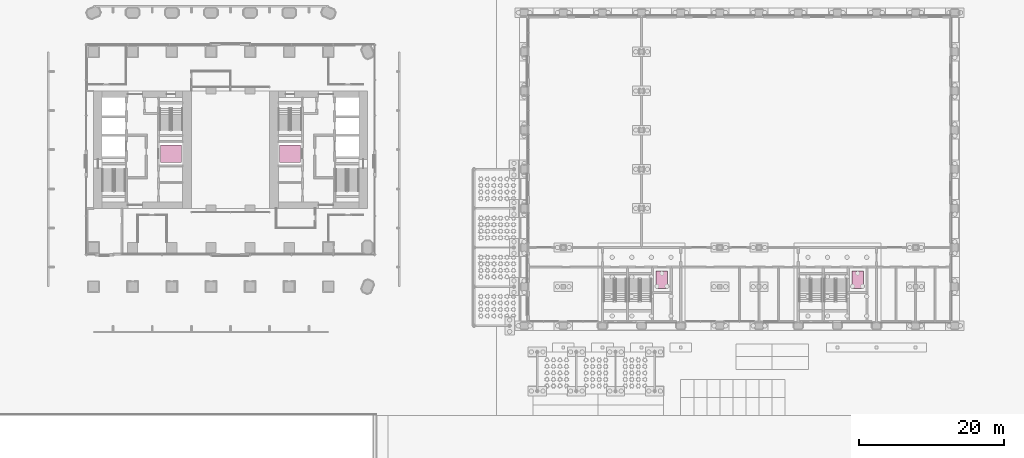
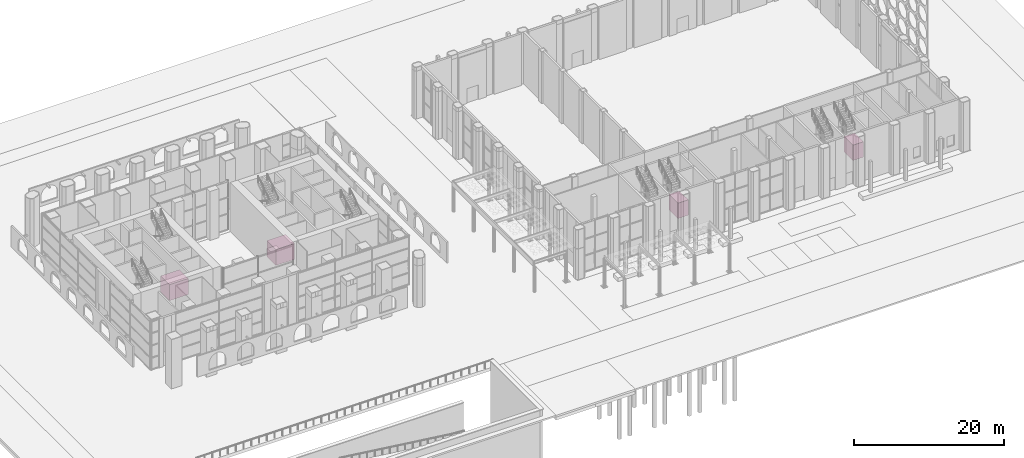
# One storey, part 53 of 54: 4 transport elements.
"""IFC4 building model written with IfcOpenShell, lengths in metres."""

from ifc_helpers import new_model, si_unit, direction, frame, origin, origin_2d, place, context, subcontext, project, spatial, rectangle, extrude, material, type_object, element, save


model = new_model("IFC4")

# Units and contexts
model_context = context("Model", 3, precision=1e-05, world=origin(), true_north=direction((0.0, 1.0)))
body_context = subcontext(model_context, "Body", "Model", "MODEL_VIEW")
ifc_project = project(units=[si_unit("LENGTHUNIT", "METRE"), si_unit("AREAUNIT", "SQUARE_METRE"), si_unit("VOLUMEUNIT", "CUBIC_METRE"), si_unit("PLANEANGLEUNIT", "RADIAN"), si_unit("MASSUNIT", "GRAM", prefix="KILO")], contexts=[model_context])

# Site, building, storey
site_placement = place(None, origin())
site = spatial("IfcSite", under=ifc_project, at=site_placement, CompositionType="ELEMENT")
building_placement = place(site_placement, origin())
building = spatial("IfcBuilding", under=site, at=building_placement, Name="Tabaq Tower and Sports Hall", CompositionType="ELEMENT")
storey_placement = place(building_placement, origin())
storey = spatial("IfcBuildingStorey", under=building, at=storey_placement, Name="L00", CompositionType="ELEMENT", Elevation=0.0)

# Transport elements
ifc_material_1 = material(Name="Stainless steel car", Category="steel")
transport_element_type_1 = type_object("IfcTransportElementType", Name="HALL PASSENGER LIFT", PredefinedType="ELEVATOR", material=ifc_material_1)
for number, where, z_axis, x_axis, name in (
    (1, (83.800048828125, 6.35009765625, 0.0), (0.0, 0.0, 1.0), (1.0, 0.0, 0.0), "LH-A"),
    (2, (110.800048828125, 6.35009765625, 0.0), (0.0, 0.0, 1.0), (1.0, 0.0, 0.0), "LH-B"),
):
    element("IfcTransportElement", number, at=place(storey_placement, frame(where, z_axis=z_axis, x_axis=x_axis)), inside=storey, type_object=transport_element_type_1, Name=name, PredefinedType="ELEVATOR", context=body_context, shape_type="SweptSolid", body=[
        extrude(rectangle(XDim=1.60009765625, YDim=2.39990234375, at=origin_2d()), origin(), (0.0, 0.0, 1.0), 2.5),
    ])
ifc_material_2 = material(Name="Shuttle lift")
transport_element_type_2 = type_object("IfcTransportElementType", Name="Shuttle lift", PredefinedType="ELEVATOR", material=ifc_material_2)
for number, where, z_axis, x_axis, name in (
    (3, (16.10009765625, 23.72509765625, 0.0), (0.0, 0.0, 1.0), (1.0, 0.0, 0.0), "Lift SH1 car"),
    (4, (32.5, 23.72509765625, 0.0), (0.0, 0.0, 1.0), (1.0, 0.0, 0.0), "Lift SH2 car"),
):
    element("IfcTransportElement", number, at=place(storey_placement, frame(where, z_axis=z_axis, x_axis=x_axis)), inside=storey, type_object=transport_element_type_2, Name=name, PredefinedType="ELEVATOR", context=body_context, shape_type="SweptSolid", body=[
        extrude(rectangle(XDim=2.89990234375, YDim=2.39990234375, at=origin_2d()), origin(), (0.0, 0.0, 1.0), 2.60009765625),
    ])

save(model, "model.ifc")
